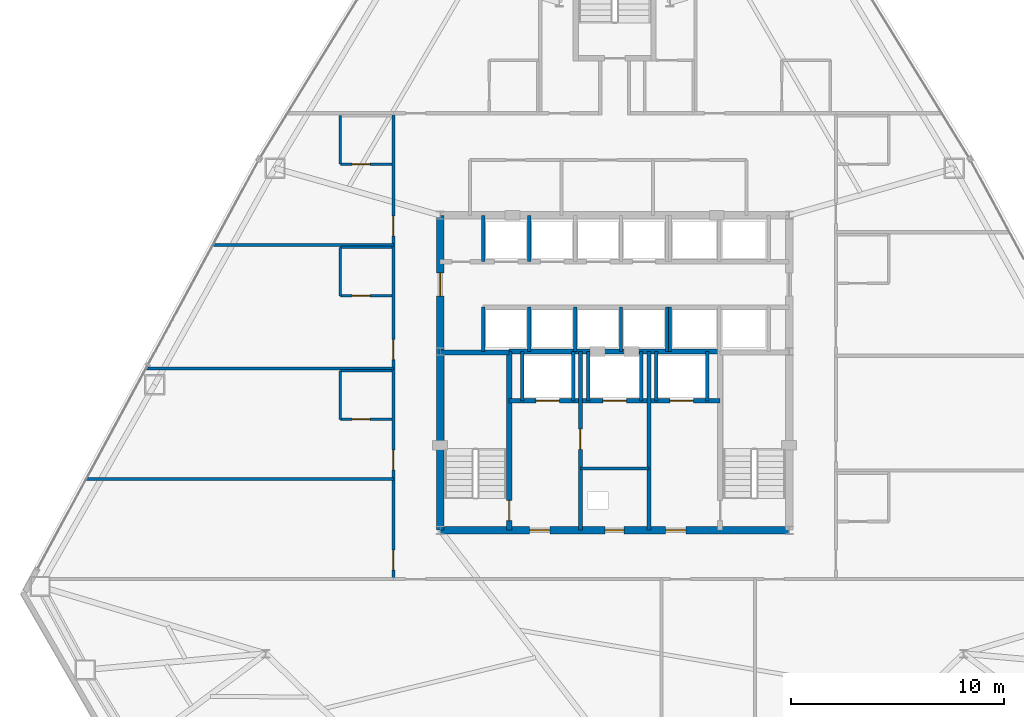
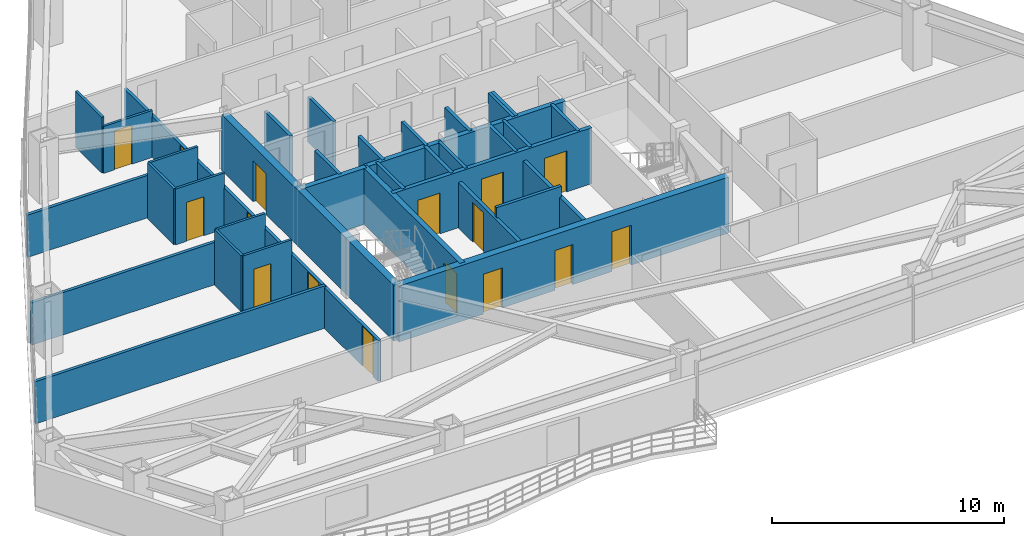
# One storey, part 9 of 13: 35 walls, 16 doors, 16 openings.
"""IFC4 building model written with IfcOpenShell, lengths in metres."""

from ifc_helpers import new_model, si_unit, direction, frame, frame_2d, origin, place, context, subcontext, project, spatial, rectangle, extrude, material, layer, layer_set, type_object, element, fill, save


model = new_model("IFC4")

# Units and contexts
model_context = context("Model", 3, precision=1e-05, world=origin(), true_north=direction((0.0, 1.0)))
body_context = subcontext(model_context, "Body", "Model", "MODEL_VIEW")
ifc_project = project(units=[si_unit("LENGTHUNIT", "METRE"), si_unit("AREAUNIT", "SQUARE_METRE"), si_unit("VOLUMEUNIT", "CUBIC_METRE"), si_unit("PLANEANGLEUNIT", "RADIAN"), si_unit("MASSUNIT", "GRAM", prefix="KILO")], contexts=[model_context])

# Site, building, storey
site_placement = place(None, origin())
site = spatial("IfcSite", under=ifc_project, at=site_placement, CompositionType="ELEMENT")
building_placement = place(site_placement, origin())
building = spatial("IfcBuilding", under=site, at=building_placement, Name="Varakhsha Concourse Tower", CompositionType="ELEMENT")
storey_placement = place(building_placement, frame((0.0, 0.0, 108.60009765625)))
storey = spatial("IfcBuildingStorey", under=building, at=storey_placement, Name="L31", CompositionType="ELEMENT", Elevation=108.60009765625)

# Wall, openings, doors
ifc_material_1 = material(Name="Concrete fc 65 MPa", Category="concrete")
ifc_layer_1 = layer(ifc_material_1, 0.35009765625, Name="WL-CORE-350")
ifc_layer_set_1 = layer_set([ifc_layer_1], Name="Concrete fc 65 MPa")
wall_type_1 = type_object("IfcWallType", Name="WL-CORE-350", PredefinedType="SHEAR", material=ifc_layer_set_1)
wall_1_placement = place(storey_placement, frame((31.800048828125, 16.39990234375, 0.0), z_axis=(0.0, 0.0, 1.0), x_axis=(1.0, 0.0, 0.0)))
wall_1 = element("IfcWall", 1, at=wall_1_placement, inside=storey, type_object=wall_type_1, Name="L31 Wall CWALL-S-L31", PredefinedType="SHEAR", context=body_context, shape_type="SweptSolid", body=[
    extrude(rectangle(XDim=16.39990234375, YDim=0.35009765625, at=frame_2d((8.199951171875, 0.0))), origin(), (0.0, 0.0, 1.0), 2.93994140625),
])
opening_1_placement = place(wall_1_placement, frame((7.75, 0.0, 0.0)))
opening_1 = element("IfcOpeningElement", 2, at=opening_1_placement, cuts=wall_1, Name="Opening DF-06", PredefinedType="OPENING", context=body_context, shape_type="SweptSolid", body=[
    extrude(rectangle(XDim=0.89990234375, YDim=2.10009765625, at=frame_2d((0.449951171875, 1.050048828125))), frame((0.0, 0.18505859375, 0.0), z_axis=(0.0, -1.0, 0.0), x_axis=(1.0, 0.0, 0.0)), (0.0, 0.0, 1.0), 0.3701171875),
])
opening_2_placement = place(wall_1_placement, frame((4.199951171875, 0.0, 0.0)))
opening_2 = element("IfcOpeningElement", 3, at=opening_2_placement, cuts=wall_1, Name="Opening DF-05", PredefinedType="OPENING", context=body_context, shape_type="SweptSolid", body=[
    extrude(rectangle(XDim=0.949951171875, YDim=2.10009765625, at=frame_2d((0.47509765625, 1.050048828125))), frame((0.0, 0.18505859375, 0.0), z_axis=(0.0, -1.0, 0.0), x_axis=(1.0, 0.0, 0.0)), (0.0, 0.0, 1.0), 0.3701171875),
])
opening_3_placement = place(wall_1_placement, frame((10.60009765625, 0.0, 0.0)))
opening_3 = element("IfcOpeningElement", 4, at=opening_3_placement, cuts=wall_1, Name="Opening DF-05", PredefinedType="OPENING", context=body_context, shape_type="SweptSolid", body=[
    extrude(rectangle(XDim=0.949951171875, YDim=2.10009765625, at=frame_2d((0.47509765625, 1.050048828125))), frame((0.0, 0.18505859375, 0.0), z_axis=(0.0, -1.0, 0.0), x_axis=(1.0, 0.0, 0.0)), (0.0, 0.0, 1.0), 0.3701171875),
])
ifc_material_2 = material(Name="Hollow Galvanised Steel Fire Door Assembly", Category="steel")
door_type_1 = type_object("IfcDoorType", Name="DR-FD60-900", OperationType="NOTDEFINED", PredefinedType="DOOR", material=ifc_material_2)
door_1_placement = place(opening_1_placement, origin())
door_1 = element("IfcDoor", 5, at=door_1_placement, inside=storey, type_object=door_type_1, Name="L31 Electrical Riser Access Door", OperationType="SINGLE_SWING_LEFT", OverallHeight=2.10009765625, OverallWidth=0.89990234375, PredefinedType="DOOR", context=body_context, shape_type="SweptSolid", body=[
    extrude(rectangle(XDim=0.89990234375, YDim=2.10009765625, at=frame_2d((0.449951171875, 1.050048828125))), frame((0.0, 0.02490234375, 0.0), z_axis=(0.0, -1.0, 0.0), x_axis=(1.0, 0.0, 0.0)), (0.0, 0.0, 1.0), 0.050048828125),
])
fill(opening_1, door_1)
door_type_2 = type_object("IfcDoorType", Name="DR-FD60-950", OperationType="NOTDEFINED", PredefinedType="DOOR", material=ifc_material_2)
door_2_placement = place(opening_2_placement, origin())
door_2 = element("IfcDoor", 6, at=door_2_placement, inside=storey, type_object=door_type_2, Name="L31 Firefighting Lobby West Door", OperationType="SINGLE_SWING_RIGHT", OverallHeight=2.10009765625, OverallWidth=0.949951171875, PredefinedType="DOOR", context=body_context, shape_type="SweptSolid", body=[
    extrude(rectangle(XDim=0.949951171875, YDim=2.10009765625, at=frame_2d((0.47509765625, 1.050048828125))), frame((0.0, 0.02490234375, 0.0), z_axis=(0.0, -1.0, 0.0), x_axis=(1.0, 0.0, 0.0)), (0.0, 0.0, 1.0), 0.050048828125),
])
fill(opening_2, door_2)
door_3_placement = place(opening_3_placement, origin())
door_3 = element("IfcDoor", 7, at=door_3_placement, inside=storey, type_object=door_type_2, Name="L31 Firefighting Lobby East Door", OperationType="SINGLE_SWING_LEFT", OverallHeight=2.10009765625, OverallWidth=0.949951171875, PredefinedType="DOOR", context=body_context, shape_type="SweptSolid", body=[
    extrude(rectangle(XDim=0.949951171875, YDim=2.10009765625, at=frame_2d((0.47509765625, 1.050048828125))), frame((0.0, 0.02490234375, 0.0), z_axis=(0.0, -1.0, 0.0), x_axis=(1.0, 0.0, 0.0)), (0.0, 0.0, 1.0), 0.050048828125),
])
fill(opening_3, door_3)

# Wall, opening, door
wall_2_placement = place(storey_placement, frame((31.800048828125, 16.39990234375, 0.0), z_axis=(0.0, 0.0, 1.0), x_axis=(0.0, 1.0, 0.0)))
wall_2 = element("IfcWall", 8, at=wall_2_placement, inside=storey, type_object=wall_type_1, Name="L31 Wall CWALL-W-L31", PredefinedType="SHEAR", context=body_context, shape_type="SweptSolid", body=[
    extrude(rectangle(XDim=14.800048828125, YDim=0.35009765625, at=frame_2d((7.39990234375, 0.0))), origin(), (0.0, 0.0, 1.0), 2.93994140625),
])
opening_4_placement = place(wall_2_placement, frame((11.0, 0.0, 0.0)))
opening_4 = element("IfcOpeningElement", 9, at=opening_4_placement, cuts=wall_2, Name="Opening DL-01", PredefinedType="OPENING", context=body_context, shape_type="SweptSolid", body=[
    extrude(rectangle(XDim=1.10009765625, YDim=2.14990234375, at=frame_2d((0.550048828125, 1.074951171875))), frame((0.0, 0.18505859375, 0.0), z_axis=(0.0, -1.0, 0.0), x_axis=(1.0, 0.0, 0.0)), (0.0, 0.0, 1.0), 0.3701171875),
])
ifc_material_3 = material(Name="Anodised Bronze Architectural Aluminium AA 6063-T6", Category="aluminium")
door_type_3 = type_object("IfcDoorType", Name="DR-LOB-1100", OperationType="NOTDEFINED", PredefinedType="DOOR", material=ifc_material_3)
door_4_placement = place(opening_4_placement, origin())
door_4 = element("IfcDoor", 10, at=door_4_placement, inside=storey, type_object=door_type_3, Name="L31 Lift Lobby West Concourse Door", OperationType="SINGLE_SWING_LEFT", OverallHeight=2.14990234375, OverallWidth=1.10009765625, PredefinedType="DOOR", context=body_context, shape_type="SweptSolid", body=[
    extrude(rectangle(XDim=1.10009765625, YDim=2.14990234375, at=frame_2d((0.550048828125, 1.074951171875))), frame((0.0, 0.02490234375, 0.0), z_axis=(0.0, -1.0, 0.0), x_axis=(1.0, 0.0, 0.0)), (0.0, 0.0, 1.0), 0.050048828125),
])
fill(opening_4, door_4)

ifc_material_4 = material(Name="Fire-Rated Type X Gypsum Partition Assembly", Category="gypsum")
ifc_layer_2 = layer(ifc_material_4, 0.179931640625, Name="WL-FFLOB-180")
ifc_layer_set_2 = layer_set([ifc_layer_2], Name="Fire-Rated Type X Gypsum Partition Assembly")
wall_type_2 = type_object("IfcWallType", Name="WL-FFLOB-180", PredefinedType="PARTITIONING", material=ifc_layer_set_2)
wall_3_placement = place(storey_placement, frame((38.389892578125, 16.39990234375, 0.0), z_axis=(0.0, 0.0, 1.0), x_axis=(0.0, 1.0, 0.0)))
wall_3 = element("IfcWall", 11, at=wall_3_placement, inside=storey, type_object=wall_type_2, Name="L31 Wall FFW-1E-L31", PredefinedType="PARTITIONING", context=body_context, shape_type="SweptSolid", body=[
    extrude(rectangle(XDim=8.400146484375, YDim=0.179931640625, at=frame_2d((4.2001953125, 0.0))), origin(), (0.0, 0.0, 1.0), 2.390869140625),
])
opening_5_placement = place(wall_3_placement, frame((3.800048828125, 0.0, 0.0)))
opening_5 = element("IfcOpeningElement", 12, at=opening_5_placement, cuts=wall_3, Name="Opening DF-05", PredefinedType="OPENING", context=body_context, shape_type="SweptSolid", body=[
    extrude(rectangle(XDim=0.949951171875, YDim=2.10009765625, at=frame_2d((0.47509765625, 1.050048828125))), frame((0.0, 0.099853515625, 0.0), z_axis=(0.0, -1.0, 0.0), x_axis=(1.0, 0.0, 0.0)), (0.0, 0.0, 1.0), 0.199951171875),
])
door_5_placement = place(opening_5_placement, origin())
door_5 = element("IfcDoor", 13, at=door_5_placement, inside=storey, type_object=door_type_2, Name="L31 Service Vestibule Door", OperationType="SINGLE_SWING_RIGHT", OverallHeight=2.10009765625, OverallWidth=0.949951171875, PredefinedType="DOOR", context=body_context, shape_type="SweptSolid", body=[
    extrude(rectangle(XDim=0.949951171875, YDim=2.10009765625, at=frame_2d((0.47509765625, 1.050048828125))), frame((0.0, 0.02490234375, 0.0), z_axis=(0.0, -1.0, 0.0), x_axis=(1.0, 0.0, 0.0)), (0.0, 0.0, 1.0), 0.050048828125),
])
fill(opening_5, door_5)

# Walls
wall_4_placement = place(storey_placement, frame((41.610107421875, 16.39990234375, 0.0), z_axis=(0.0, 0.0, 1.0), x_axis=(0.0, 1.0, 0.0)))
element("IfcWall", 14, at=wall_4_placement, inside=storey, type_object=wall_type_2, Name="L31 Wall FFW-2W-L31", PredefinedType="PARTITIONING", context=body_context, shape_type="SweptSolid", body=[
    extrude(rectangle(XDim=8.400146484375, YDim=0.179931640625, at=frame_2d((4.2001953125, 0.0))), origin(), (0.0, 0.0, 1.0), 2.390869140625),
])
ifc_material_5 = material(Name="Acoustic Gypsum Board Partition Assembly", Category="gypsum")
ifc_layer_3 = layer(ifc_material_5, 0.1201171875, Name="WL-PART-120")
ifc_layer_set_3 = layer_set([ifc_layer_3], Name="Acoustic Gypsum Board Partition Assembly")
wall_type_3 = type_object("IfcWallType", Name="WL-PART-120", PredefinedType="PARTITIONING", material=ifc_layer_set_3)
wall_5_placement = place(storey_placement, frame((27.110107421875, 21.610107421875, 0.0), z_axis=(0.0, 0.0, 1.0), x_axis=(0.0, 1.0, 0.0)))
element("IfcWall", 15, at=wall_5_placement, inside=storey, type_object=wall_type_3, Name="L31 Wall ENSW-W-L31-H05", PredefinedType="PARTITIONING", context=body_context, shape_type="SweptSolid", body=[
    extrude(rectangle(XDim=2.27978515625, YDim=0.1201171875, at=frame_2d((1.139892578125, 0.0))), origin(), (0.0, 0.0, 1.0), 2.93994140625),
])

# Wall, opening, door
wall_6_placement = place(storey_placement, frame((27.110107421875, 21.610107421875, 0.0), z_axis=(0.0, 0.0, 1.0), x_axis=(1.0, 0.0, 0.0)))
wall_6 = element("IfcWall", 16, at=wall_6_placement, inside=storey, type_object=wall_type_3, Name="L31 Wall ENSW-S-L31-H05", PredefinedType="PARTITIONING", context=body_context, shape_type="SweptSolid", body=[
    extrude(rectangle(XDim=2.429931640625, YDim=0.1201171875, at=frame_2d((1.21484375, 0.0))), origin(), (0.0, 0.0, 1.0), 2.93994140625),
])
opening_6_placement = place(wall_6_placement, frame((0.550048828125, 0.0, 0.0)))
opening_6 = element("IfcOpeningElement", 17, at=opening_6_placement, cuts=wall_6, Name="Opening DI-01", PredefinedType="OPENING", context=body_context, shape_type="SweptSolid", body=[
    extrude(rectangle(XDim=0.85009765625, YDim=2.050048828125, at=frame_2d((0.425048828125, 1.02490234375))), frame((0.0, 0.070068359375, 0.0), z_axis=(0.0, -1.0, 0.0), x_axis=(1.0, 0.0, 0.0)), (0.0, 0.0, 1.0), 0.14013671875),
])
ifc_material_6 = material(Name="Architectural Walnut Acoustic Timber Door", Category="wood")
door_type_4 = type_object("IfcDoorType", Name="DR-INT-850", OperationType="NOTDEFINED", PredefinedType="DOOR", material=ifc_material_6)
door_6_placement = place(opening_6_placement, origin())
door_6 = element("IfcDoor", 18, at=door_6_placement, inside=storey, type_object=door_type_4, Name="L31 En-suite Bathroom Door L31-H05", OperationType="SINGLE_SWING_RIGHT", OverallHeight=2.050048828125, OverallWidth=0.85009765625, PredefinedType="DOOR", context=body_context, shape_type="SweptSolid", body=[
    extrude(rectangle(XDim=0.85009765625, YDim=2.050048828125, at=frame_2d((0.425048828125, 1.02490234375))), frame((0.0, 0.02490234375, 0.0), z_axis=(0.0, -1.0, 0.0), x_axis=(1.0, 0.0, 0.0)), (0.0, 0.0, 1.0), 0.050048828125),
])
fill(opening_6, door_6)

# Walls
wall_7_placement = place(storey_placement, frame((27.110107421875, 23.889892578125, 0.0), z_axis=(0.0, 0.0, 1.0), x_axis=(1.0, 0.0, 0.0)))
element("IfcWall", 19, at=wall_7_placement, inside=storey, type_object=wall_type_3, Name="L31 Wall ENSW-N-L31-H05", PredefinedType="PARTITIONING", context=body_context, shape_type="SweptSolid", body=[
    extrude(rectangle(XDim=2.429931640625, YDim=0.1201171875, at=frame_2d((1.21484375, 0.0))), origin(), (0.0, 0.0, 1.0), 2.93994140625),
])
wall_8_placement = place(storey_placement, frame((27.110107421875, 27.409912109375, 0.0), z_axis=(0.0, 0.0, 1.0), x_axis=(0.0, 1.0, 0.0)))
element("IfcWall", 20, at=wall_8_placement, inside=storey, type_object=wall_type_3, Name="L31 Wall ENSW-W-L31-H06", PredefinedType="PARTITIONING", context=body_context, shape_type="SweptSolid", body=[
    extrude(rectangle(XDim=2.280029296875, YDim=0.1201171875, at=frame_2d((1.14013671875, 0.0))), origin(), (0.0, 0.0, 1.0), 2.93994140625),
])

# Wall, opening, door
wall_9_placement = place(storey_placement, frame((27.110107421875, 27.409912109375, 0.0), z_axis=(0.0, 0.0, 1.0), x_axis=(1.0, 0.0, 0.0)))
wall_9 = element("IfcWall", 21, at=wall_9_placement, inside=storey, type_object=wall_type_3, Name="L31 Wall ENSW-S-L31-H06", PredefinedType="PARTITIONING", context=body_context, shape_type="SweptSolid", body=[
    extrude(rectangle(XDim=2.429931640625, YDim=0.1201171875, at=frame_2d((1.21484375, 0.0))), origin(), (0.0, 0.0, 1.0), 2.93994140625),
])
opening_7_placement = place(wall_9_placement, frame((0.550048828125, 0.0, 0.0)))
opening_7 = element("IfcOpeningElement", 22, at=opening_7_placement, cuts=wall_9, Name="Opening DI-01", PredefinedType="OPENING", context=body_context, shape_type="SweptSolid", body=[
    extrude(rectangle(XDim=0.85009765625, YDim=2.050048828125, at=frame_2d((0.425048828125, 1.02490234375))), frame((0.0, 0.070068359375, 0.0), z_axis=(0.0, -1.0, 0.0), x_axis=(1.0, 0.0, 0.0)), (0.0, 0.0, 1.0), 0.14013671875),
])
door_7_placement = place(opening_7_placement, origin())
door_7 = element("IfcDoor", 23, at=door_7_placement, inside=storey, type_object=door_type_4, Name="L31 En-suite Bathroom Door L31-H06", OperationType="SINGLE_SWING_RIGHT", OverallHeight=2.050048828125, OverallWidth=0.85009765625, PredefinedType="DOOR", context=body_context, shape_type="SweptSolid", body=[
    extrude(rectangle(XDim=0.85009765625, YDim=2.050048828125, at=frame_2d((0.425048828125, 1.02490234375))), frame((0.0, 0.02490234375, 0.0), z_axis=(0.0, -1.0, 0.0), x_axis=(1.0, 0.0, 0.0)), (0.0, 0.0, 1.0), 0.050048828125),
])
fill(opening_7, door_7)

# Walls
wall_10_placement = place(storey_placement, frame((27.110107421875, 29.68994140625, 0.0), z_axis=(0.0, 0.0, 1.0), x_axis=(1.0, 0.0, 0.0)))
element("IfcWall", 24, at=wall_10_placement, inside=storey, type_object=wall_type_3, Name="L31 Wall ENSW-N-L31-H06", PredefinedType="PARTITIONING", context=body_context, shape_type="SweptSolid", body=[
    extrude(rectangle(XDim=2.429931640625, YDim=0.1201171875, at=frame_2d((1.21484375, 0.0))), origin(), (0.0, 0.0, 1.0), 2.93994140625),
])
wall_11_placement = place(storey_placement, frame((27.110107421875, 33.610107421875, 0.0), z_axis=(0.0, 0.0, 1.0), x_axis=(0.0, 1.0, 0.0)))
element("IfcWall", 25, at=wall_11_placement, inside=storey, type_object=wall_type_3, Name="L31 Wall ENSW-W-L31-H07", PredefinedType="PARTITIONING", context=body_context, shape_type="SweptSolid", body=[
    extrude(rectangle(XDim=2.27978515625, YDim=0.1201171875, at=frame_2d((1.139892578125, 0.0))), origin(), (0.0, 0.0, 1.0), 2.93994140625),
])

# Wall, opening, door
wall_12_placement = place(storey_placement, frame((27.110107421875, 33.610107421875, 0.0), z_axis=(0.0, 0.0, 1.0), x_axis=(1.0, 0.0, 0.0)))
wall_12 = element("IfcWall", 26, at=wall_12_placement, inside=storey, type_object=wall_type_3, Name="L31 Wall ENSW-S-L31-H07", PredefinedType="PARTITIONING", context=body_context, shape_type="SweptSolid", body=[
    extrude(rectangle(XDim=2.429931640625, YDim=0.1201171875, at=frame_2d((1.21484375, 0.0))), origin(), (0.0, 0.0, 1.0), 2.472900390625),
])
opening_8_placement = place(wall_12_placement, frame((0.550048828125, 0.0, 0.0)))
opening_8 = element("IfcOpeningElement", 27, at=opening_8_placement, cuts=wall_12, Name="Opening DI-01", PredefinedType="OPENING", context=body_context, shape_type="SweptSolid", body=[
    extrude(rectangle(XDim=0.85009765625, YDim=2.050048828125, at=frame_2d((0.425048828125, 1.02490234375))), frame((0.0, 0.070068359375, 0.0), z_axis=(0.0, -1.0, 0.0), x_axis=(1.0, 0.0, 0.0)), (0.0, 0.0, 1.0), 0.14013671875),
])
door_8_placement = place(opening_8_placement, origin())
door_8 = element("IfcDoor", 28, at=door_8_placement, inside=storey, type_object=door_type_4, Name="L31 En-suite Bathroom Door L31-H07", OperationType="SINGLE_SWING_RIGHT", OverallHeight=2.050048828125, OverallWidth=0.85009765625, PredefinedType="DOOR", context=body_context, shape_type="SweptSolid", body=[
    extrude(rectangle(XDim=0.85009765625, YDim=2.050048828125, at=frame_2d((0.425048828125, 1.02490234375))), frame((0.0, 0.02490234375, 0.0), z_axis=(0.0, -1.0, 0.0), x_axis=(1.0, 0.0, 0.0)), (0.0, 0.0, 1.0), 0.050048828125),
])
fill(opening_8, door_8)

# Wall
ifc_layer_4 = layer(ifc_material_4, 0.14990234375, Name="WL-PART-150")
ifc_layer_set_4 = layer_set([ifc_layer_4], Name="Fire-Rated Type X Gypsum Partition Assembly")
wall_type_4 = type_object("IfcWallType", Name="WL-PART-150", PredefinedType="PARTITIONING", material=ifc_layer_set_4)
wall_13_placement = place(storey_placement, frame((38.389892578125, 19.300048828125, 0.0), z_axis=(0.0, 0.0, 1.0), x_axis=(1.0, 0.0, 0.0)))
element("IfcWall", 29, at=wall_13_placement, inside=storey, type_object=wall_type_4, Name="L31 Wall RSW-H-L31", PredefinedType="PARTITIONING", context=body_context, shape_type="SweptSolid", body=[
    extrude(rectangle(XDim=3.22021484375, YDim=0.14990234375, at=frame_2d((1.610107421875, 0.0))), origin(), (0.0, 0.0, 1.0), 2.93994140625),
])

# Wall, openings, doors
wall_14_placement = place(storey_placement, frame((29.60009765625, 14.10009765625, 0.0), z_axis=(0.0, 0.0, 1.0), x_axis=(0.0, 1.0, 0.0)))
wall_14 = element("IfcWall", 30, at=wall_14_placement, inside=storey, type_object=wall_type_4, Name="L31 Wall CRW-W-L31", PredefinedType="PARTITIONING", context=body_context, shape_type="SweptSolid", body=[
    extrude(rectangle(XDim=21.89990234375, YDim=0.14990234375, at=frame_2d((10.949951171875, 0.0))), origin(), (0.0, 0.0, 1.0), 2.15087890625),
])
opening_9_placement = place(wall_14_placement, frame((0.419921875, 0.0, 0.0)))
opening_9 = element("IfcOpeningElement", 31, at=opening_9_placement, cuts=wall_14, Name="Opening DF-05", PredefinedType="OPENING", context=body_context, shape_type="SweptSolid", body=[
    extrude(rectangle(XDim=0.949951171875, YDim=2.10009765625, at=frame_2d((0.47509765625, 1.050048828125))), frame((0.0, 0.0849609375, 0.0), z_axis=(0.0, -1.0, 0.0), x_axis=(1.0, 0.0, 0.0)), (0.0, 0.0, 1.0), 0.169921875),
])
opening_10_placement = place(wall_14_placement, frame((5.1201171875, 0.0, 0.0)))
opening_10 = element("IfcOpeningElement", 32, at=opening_10_placement, cuts=wall_14, Name="Opening DF-05", PredefinedType="OPENING", context=body_context, shape_type="SweptSolid", body=[
    extrude(rectangle(XDim=0.949951171875, YDim=2.10009765625, at=frame_2d((0.47509765625, 1.050048828125))), frame((0.0, 0.0849609375, 0.0), z_axis=(0.0, -1.0, 0.0), x_axis=(1.0, 0.0, 0.0)), (0.0, 0.0, 1.0), 0.169921875),
])
opening_11_placement = place(wall_14_placement, frame((10.320068359375, 0.0, 0.0)))
opening_11 = element("IfcOpeningElement", 33, at=opening_11_placement, cuts=wall_14, Name="Opening DF-05", PredefinedType="OPENING", context=body_context, shape_type="SweptSolid", body=[
    extrude(rectangle(XDim=0.949951171875, YDim=2.10009765625, at=frame_2d((0.47509765625, 1.050048828125))), frame((0.0, 0.0849609375, 0.0), z_axis=(0.0, -1.0, 0.0), x_axis=(1.0, 0.0, 0.0)), (0.0, 0.0, 1.0), 0.169921875),
])
opening_12_placement = place(wall_14_placement, frame((16.1201171875, 0.0, 0.0)))
opening_12 = element("IfcOpeningElement", 34, at=opening_12_placement, cuts=wall_14, Name="Opening DF-05", PredefinedType="OPENING", context=body_context, shape_type="SweptSolid", body=[
    extrude(rectangle(XDim=0.949951171875, YDim=2.10009765625, at=frame_2d((0.47509765625, 1.050048828125))), frame((0.0, 0.0849609375, 0.0), z_axis=(0.0, -1.0, 0.0), x_axis=(1.0, 0.0, 0.0)), (0.0, 0.0, 1.0), 0.169921875),
])
door_9_placement = place(opening_9_placement, origin())
door_9 = element("IfcDoor", 35, at=door_9_placement, inside=storey, type_object=door_type_2, Name="L31 Sky-Loggia Reading Lounge L31-H04 Door", OperationType="SINGLE_SWING_RIGHT", OverallHeight=2.10009765625, OverallWidth=0.949951171875, PredefinedType="DOOR", context=body_context, shape_type="SweptSolid", body=[
    extrude(rectangle(XDim=0.949951171875, YDim=2.10009765625, at=frame_2d((0.47509765625, 1.050048828125))), frame((0.0, 0.02490234375, 0.0), z_axis=(0.0, -1.0, 0.0), x_axis=(1.0, 0.0, 0.0)), (0.0, 0.0, 1.0), 0.050048828125),
])
fill(opening_9, door_9)
door_10_placement = place(opening_10_placement, origin())
door_10 = element("IfcDoor", 36, at=door_10_placement, inside=storey, type_object=door_type_2, Name="L31 Hotel Corner Suite L31-H05 Entry Door", OperationType="SINGLE_SWING_LEFT", OverallHeight=2.10009765625, OverallWidth=0.949951171875, PredefinedType="DOOR", context=body_context, shape_type="SweptSolid", body=[
    extrude(rectangle(XDim=0.949951171875, YDim=2.10009765625, at=frame_2d((0.47509765625, 1.050048828125))), frame((0.0, 0.02490234375, 0.0), z_axis=(0.0, -1.0, 0.0), x_axis=(1.0, 0.0, 0.0)), (0.0, 0.0, 1.0), 0.050048828125),
])
fill(opening_10, door_10)
door_11_placement = place(opening_11_placement, origin())
door_11 = element("IfcDoor", 37, at=door_11_placement, inside=storey, type_object=door_type_2, Name="L31 Hotel Corner Suite L31-H06 Entry Door", OperationType="SINGLE_SWING_RIGHT", OverallHeight=2.10009765625, OverallWidth=0.949951171875, PredefinedType="DOOR", context=body_context, shape_type="SweptSolid", body=[
    extrude(rectangle(XDim=0.949951171875, YDim=2.10009765625, at=frame_2d((0.47509765625, 1.050048828125))), frame((0.0, 0.02490234375, 0.0), z_axis=(0.0, -1.0, 0.0), x_axis=(1.0, 0.0, 0.0)), (0.0, 0.0, 1.0), 0.050048828125),
])
fill(opening_11, door_11)
door_12_placement = place(opening_12_placement, origin())
door_12 = element("IfcDoor", 38, at=door_12_placement, inside=storey, type_object=door_type_2, Name="L31 Hotel Guest Room L31-H07 Entry Door", OperationType="SINGLE_SWING_LEFT", OverallHeight=2.10009765625, OverallWidth=0.949951171875, PredefinedType="DOOR", context=body_context, shape_type="SweptSolid", body=[
    extrude(rectangle(XDim=0.949951171875, YDim=2.10009765625, at=frame_2d((0.47509765625, 1.050048828125))), frame((0.0, 0.02490234375, 0.0), z_axis=(0.0, -1.0, 0.0), x_axis=(1.0, 0.0, 0.0)), (0.0, 0.0, 1.0), 0.050048828125),
])
fill(opening_12, door_12)

# Walls
wall_15_placement = place(storey_placement, frame((15.166015625, 18.800048828125, 0.0), z_axis=(0.0, 0.0, 1.0), x_axis=(1.0, 0.0, 0.0)))
element("IfcWall", 39, at=wall_15_placement, inside=storey, type_object=wall_type_4, Name="L31 Wall HDIV-W1-L31", PredefinedType="PARTITIONING", context=body_context, shape_type="SweptSolid", body=[
    extrude(rectangle(XDim=14.43408203125, YDim=0.14990234375, at=frame_2d((7.217041015625, 0.0))), origin(), (0.0, 0.0, 1.0), 2.227783203125),
])
wall_16_placement = place(storey_placement, frame((17.97998046875, 24.0, 0.0), z_axis=(0.0, 0.0, 1.0), x_axis=(1.0, 0.0, 0.0)))
element("IfcWall", 40, at=wall_16_placement, inside=storey, type_object=wall_type_4, Name="L31 Wall HDIV-W2-L31", PredefinedType="PARTITIONING", context=body_context, shape_type="SweptSolid", body=[
    extrude(rectangle(XDim=11.6201171875, YDim=0.14990234375, at=frame_2d((5.81005859375, 0.0))), origin(), (0.0, 0.0, 1.0), 2.227783203125),
])
wall_17_placement = place(storey_placement, frame((21.118896484375, 29.800048828125, 0.0), z_axis=(0.0, 0.0, 1.0), x_axis=(1.0, 0.0, 0.0)))
element("IfcWall", 41, at=wall_17_placement, inside=storey, type_object=wall_type_4, Name="L31 Wall HDIV-W3-L31", PredefinedType="PARTITIONING", context=body_context, shape_type="SweptSolid", body=[
    extrude(rectangle(XDim=8.481201171875, YDim=0.14990234375, at=frame_2d((4.24072265625, 0.0))), origin(), (0.0, 0.0, 1.0), 2.227783203125),
])

# Wall, openings, doors
ifc_layer_5 = layer(ifc_material_4, 0.199951171875, Name="WL-SHAFT-220")
ifc_layer_set_5 = layer_set([ifc_layer_5], Name="Fire-Rated Type X Gypsum Partition Assembly")
wall_type_5 = type_object("IfcWallType", Name="WL-SHAFT-220", PredefinedType="SOLIDWALL", material=ifc_layer_set_5)
wall_18_placement = place(storey_placement, frame((35.044921875, 22.47998046875, 0.0), z_axis=(0.0, 0.0, 1.0), x_axis=(1.0, 0.0, 0.0)))
wall_18 = element("IfcWall", 42, at=wall_18_placement, inside=storey, type_object=wall_type_5, Name="L31 Wall FFW-NH-L31", PredefinedType="SOLIDWALL", context=body_context, shape_type="SweptSolid", body=[
    extrude(rectangle(XDim=9.91015625, YDim=0.199951171875, at=frame_2d((4.955078125, 0.0))), origin(), (0.0, 0.0, 1.0), 2.93994140625),
])
opening_13_placement = place(wall_18_placement, frame((1.2548828125, 0.0, 0.0)))
opening_13 = element("IfcOpeningElement", 43, at=opening_13_placement, cuts=wall_18, Name="Opening LD-FFL-1", PredefinedType="OPENING", context=body_context, shape_type="SweptSolid", body=[
    extrude(rectangle(XDim=1.10009765625, YDim=2.14990234375, at=frame_2d((0.550048828125, 1.074951171875))), frame((0.0, 0.10986328125, 0.0), z_axis=(0.0, -1.0, 0.0), x_axis=(1.0, 0.0, 0.0)), (0.0, 0.0, 1.0), 0.219970703125),
])
opening_14_placement = place(wall_18_placement, frame((7.554931640625, 0.0, 0.0)))
opening_14 = element("IfcOpeningElement", 44, at=opening_14_placement, cuts=wall_18, Name="Opening LD-FFL-2", PredefinedType="OPENING", context=body_context, shape_type="SweptSolid", body=[
    extrude(rectangle(XDim=1.10009765625, YDim=2.14990234375, at=frame_2d((0.550048828125, 1.074951171875))), frame((0.0, 0.10986328125, 0.0), z_axis=(0.0, -1.0, 0.0), x_axis=(1.0, 0.0, 0.0)), (0.0, 0.0, 1.0), 0.219970703125),
])
opening_15_placement = place(wall_18_placement, frame((4.405029296875, 0.0, 0.0)))
opening_15 = element("IfcOpeningElement", 45, at=opening_15_placement, cuts=wall_18, Name="Opening LD-SVL-1", PredefinedType="OPENING", context=body_context, shape_type="SweptSolid", body=[
    extrude(rectangle(XDim=1.10009765625, YDim=2.14990234375, at=frame_2d((0.550048828125, 1.074951171875))), frame((0.0, 0.10986328125, 0.0), z_axis=(0.0, -1.0, 0.0), x_axis=(1.0, 0.0, 0.0)), (0.0, 0.0, 1.0), 0.219970703125),
])
ifc_material_7 = material(Name="Brushed Austenitic Stainless Steel AISI 316", Category="steel")
door_type_5 = type_object("IfcDoorType", Name="DR-LD-1100", OperationType="DOUBLE_DOOR_SLIDING", PredefinedType="DOOR", material=ifc_material_7)
door_13_placement = place(opening_13_placement, origin())
door_13 = element("IfcDoor", 46, at=door_13_placement, inside=storey, type_object=door_type_5, Name="Lift Landing Door FFL-1 L31", OperationType="DOUBLE_DOOR_SLIDING", OverallHeight=2.14990234375, OverallWidth=1.10009765625, PredefinedType="DOOR", context=body_context, shape_type="SweptSolid", body=[
    extrude(rectangle(XDim=1.10009765625, YDim=2.14990234375, at=frame_2d((0.550048828125, 1.074951171875))), frame((0.0, 0.02490234375, 0.0), z_axis=(0.0, -1.0, 0.0), x_axis=(1.0, 0.0, 0.0)), (0.0, 0.0, 1.0), 0.050048828125),
])
fill(opening_13, door_13)
door_14_placement = place(opening_14_placement, origin())
door_14 = element("IfcDoor", 47, at=door_14_placement, inside=storey, type_object=door_type_5, Name="Lift Landing Door FFL-2 L31", OperationType="DOUBLE_DOOR_SLIDING", OverallHeight=2.14990234375, OverallWidth=1.10009765625, PredefinedType="DOOR", context=body_context, shape_type="SweptSolid", body=[
    extrude(rectangle(XDim=1.10009765625, YDim=2.14990234375, at=frame_2d((0.550048828125, 1.074951171875))), frame((0.0, 0.02490234375, 0.0), z_axis=(0.0, -1.0, 0.0), x_axis=(1.0, 0.0, 0.0)), (0.0, 0.0, 1.0), 0.050048828125),
])
fill(opening_14, door_14)
door_15_placement = place(opening_15_placement, origin())
door_15 = element("IfcDoor", 48, at=door_15_placement, inside=storey, type_object=door_type_5, Name="Lift Landing Door SVL-1 L31", OperationType="DOUBLE_DOOR_SLIDING", OverallHeight=2.14990234375, OverallWidth=1.10009765625, PredefinedType="DOOR", context=body_context, shape_type="SweptSolid", body=[
    extrude(rectangle(XDim=1.10009765625, YDim=2.14990234375, at=frame_2d((0.550048828125, 1.074951171875))), frame((0.0, 0.02490234375, 0.0), z_axis=(0.0, -1.0, 0.0), x_axis=(1.0, 0.0, 0.0)), (0.0, 0.0, 1.0), 0.050048828125),
])
fill(opening_15, door_15)

# Walls
for number, where, z_axis, x_axis, name in (
    (49, (35.64990234375, 22.47998046875, 0.0), (0.0, 0.0, 1.0), (0.0, 1.0, 0.0), "L31 Wall SHW-FFL-1-W-L31"),
    (50, (38.050048828125, 22.47998046875, 0.0), (0.0, 0.0, 1.0), (0.0, 1.0, 0.0), "L31 Wall SHW-FFL-1-E-L31"),
    (51, (41.949951171875, 22.47998046875, 0.0), (0.0, 0.0, 1.0), (0.0, 1.0, 0.0), "L31 Wall SHW-FFL-2-W-L31"),
    (52, (44.35009765625, 22.47998046875, 0.0), (0.0, 0.0, 1.0), (0.0, 1.0, 0.0), "L31 Wall SHW-FFL-2-E-L31"),
    (53, (38.75, 22.47998046875, 0.0), (0.0, 0.0, 1.0), (0.0, 1.0, 0.0), "L31 Wall SHW-SVL-1-W-L31"),
    (54, (41.25, 22.47998046875, 0.0), (0.0, 0.0, 1.0), (0.0, 1.0, 0.0), "L31 Wall SHW-SVL-1-E-L31"),
):
    element("IfcWall", number, at=place(storey_placement, frame(where, z_axis=z_axis, x_axis=x_axis)), inside=storey, type_object=wall_type_5, Name=name, PredefinedType="SOLIDWALL", context=body_context, shape_type="SweptSolid", body=[
        extrude(rectangle(XDim=2.320068359375, YDim=0.159912109375, at=frame_2d((1.16015625, 0.0))), origin(), (0.0, 0.0, 1.0), 2.93994140625),
    ])
wall_19_placement = place(storey_placement, frame((33.820068359375, 29.02001953125, 0.0), z_axis=(0.0, 0.0, 1.0), x_axis=(0.0, 1.0, 0.0)))
element("IfcWall", 55, at=wall_19_placement, inside=storey, type_object=wall_type_5, Name="L31 Wall WBOH-E1-L31", PredefinedType="SOLIDWALL", context=body_context, shape_type="SweptSolid", body=[
    extrude(rectangle(XDim=2.179931640625, YDim=0.159912109375, at=frame_2d((1.08984375, 0.0))), origin(), (0.0, 0.0, 1.0), 2.390869140625),
])
wall_20_placement = place(storey_placement, frame((33.820068359375, 24.800048828125, 0.0), z_axis=(0.0, 0.0, 1.0), x_axis=(0.0, 1.0, 0.0)))
element("IfcWall", 56, at=wall_20_placement, inside=storey, type_object=wall_type_5, Name="L31 Wall WBOH-E2-L31", PredefinedType="SOLIDWALL", context=body_context, shape_type="SweptSolid", body=[
    extrude(rectangle(XDim=2.079833984375, YDim=0.159912109375, at=frame_2d((1.0400390625, 0.0))), origin(), (0.0, 0.0, 1.0), 2.93994140625),
])
wall_21_placement = place(storey_placement, frame((35.97998046875, 29.02001953125, 0.0), z_axis=(0.0, 0.0, 1.0), x_axis=(0.0, 1.0, 0.0)))
element("IfcWall", 57, at=wall_21_placement, inside=storey, type_object=wall_type_5, Name="L31 Wall SHW-LF-P01-E-L31", PredefinedType="SOLIDWALL", context=body_context, shape_type="SweptSolid", body=[
    extrude(rectangle(XDim=2.179931640625, YDim=0.159912109375, at=frame_2d((1.08984375, 0.0))), origin(), (0.0, 0.0, 1.0), 2.390869140625),
])
for number, where, z_axis, x_axis, name in (
    (58, (35.97998046875, 24.800048828125, 0.0), (0.0, 0.0, 1.0), (0.0, 1.0, 0.0), "L31 Wall SHW-LF-P05-E-L31"),
    (59, (38.139892578125, 24.800048828125, 0.0), (0.0, 0.0, 1.0), (0.0, 1.0, 0.0), "L31 Wall SHW-LF-P06-E-L31"),
    (60, (40.300048828125, 24.800048828125, 0.0), (0.0, 0.0, 1.0), (0.0, 1.0, 0.0), "L31 Wall SHW-LF-P07-E-L31"),
    (61, (42.4599609375, 24.800048828125, 0.0), (0.0, 0.0, 1.0), (0.0, 1.0, 0.0), "L31 Wall SHW-LF-P08-E-L31"),
    (62, (42.60009765625, 24.800048828125, 0.0), (0.0, 0.0, 1.0), (0.0, 1.0, 0.0), "L31 Wall SHW-LF-P11-W-L31"),
):
    element("IfcWall", number, at=place(storey_placement, frame(where, z_axis=z_axis, x_axis=x_axis)), inside=storey, type_object=wall_type_5, Name=name, PredefinedType="SOLIDWALL", context=body_context, shape_type="SweptSolid", body=[
        extrude(rectangle(XDim=2.079833984375, YDim=0.159912109375, at=frame_2d((1.0400390625, 0.0))), origin(), (0.0, 0.0, 1.0), 2.93994140625),
    ])

# Wall, opening, door
ifc_material_8 = material(Name="Concrete fc 45 MPa", Category="concrete")
ifc_layer_6 = layer(ifc_material_8, 0.25, Name="WL-STAIR-250")
ifc_layer_set_6 = layer_set([ifc_layer_6], Name="Concrete fc 45 MPa")
wall_type_6 = type_object("IfcWallType", Name="WL-STAIR-250", PredefinedType="SHEAR", material=ifc_layer_set_6)
wall_22_placement = place(storey_placement, frame((35.044921875, 16.39990234375, 0.0), z_axis=(0.0, 0.0, 1.0), x_axis=(0.0, 1.0, 0.0)))
wall_22 = element("IfcWall", 63, at=wall_22_placement, inside=storey, type_object=wall_type_6, Name="L31 Wall SWALL-ST1-E-L31", PredefinedType="SHEAR", context=body_context, shape_type="SweptSolid", body=[
    extrude(rectangle(XDim=8.400146484375, YDim=0.25, at=frame_2d((4.2001953125, 0.0))), origin(), (0.0, 0.0, 1.0), 2.93994140625),
])
opening_16_placement = place(wall_22_placement, frame((0.449951171875, 0.0, 0.0)))
opening_16 = element("IfcOpeningElement", 64, at=opening_16_placement, cuts=wall_22, Name="Opening DF-03", PredefinedType="OPENING", context=body_context, shape_type="SweptSolid", body=[
    extrude(rectangle(XDim=0.949951171875, YDim=2.10009765625, at=frame_2d((0.47509765625, 1.050048828125))), frame((0.0, 0.135009765625, 0.0), z_axis=(0.0, -1.0, 0.0), x_axis=(1.0, 0.0, 0.0)), (0.0, 0.0, 1.0), 0.27001953125),
])
door_type_6 = type_object("IfcDoorType", Name="DR-FD90-950", OperationType="NOTDEFINED", PredefinedType="DOOR", material=ifc_material_2)
door_16_placement = place(opening_16_placement, origin())
door_16 = element("IfcDoor", 65, at=door_16_placement, inside=storey, type_object=door_type_6, Name="L31 Stair ST1 Fire Door", OperationType="SINGLE_SWING_LEFT", OverallHeight=2.10009765625, OverallWidth=0.949951171875, PredefinedType="DOOR", context=body_context, shape_type="SweptSolid", body=[
    extrude(rectangle(XDim=0.949951171875, YDim=2.10009765625, at=frame_2d((0.47509765625, 1.050048828125))), frame((0.0, 0.02490234375, 0.0), z_axis=(0.0, -1.0, 0.0), x_axis=(1.0, 0.0, 0.0)), (0.0, 0.0, 1.0), 0.050048828125),
])
fill(opening_16, door_16)

# Walls
wall_23_placement = place(storey_placement, frame((31.800048828125, 24.7548828125, 0.0), z_axis=(0.0, 0.0, 1.0), x_axis=(1.0, 0.0, 0.0)))
element("IfcWall", 66, at=wall_23_placement, inside=storey, type_object=wall_type_6, Name="L31 Wall SWALL-ST1-N-L31", PredefinedType="SHEAR", context=body_context, shape_type="SweptSolid", body=[
    extrude(rectangle(XDim=3.244873046875, YDim=0.25, at=frame_2d((1.62255859375, 0.0))), origin(), (0.0, 0.0, 1.0), 2.93994140625),
])
wall_24_placement = place(storey_placement, frame((35.044921875, 24.800048828125, 0.0), z_axis=(0.0, 0.0, 1.0), x_axis=(1.0, 0.0, 0.0)))
element("IfcWall", 67, at=wall_24_placement, inside=storey, type_object=wall_type_6, Name="L31 Wall SWALL-MID-H-L31", PredefinedType="SHEAR", context=body_context, shape_type="SweptSolid", body=[
    extrude(rectangle(XDim=9.91015625, YDim=0.25, at=frame_2d((4.955078125, 0.0))), origin(), (0.0, 0.0, 1.0), 2.93994140625),
])

save(model, "model.ifc")
